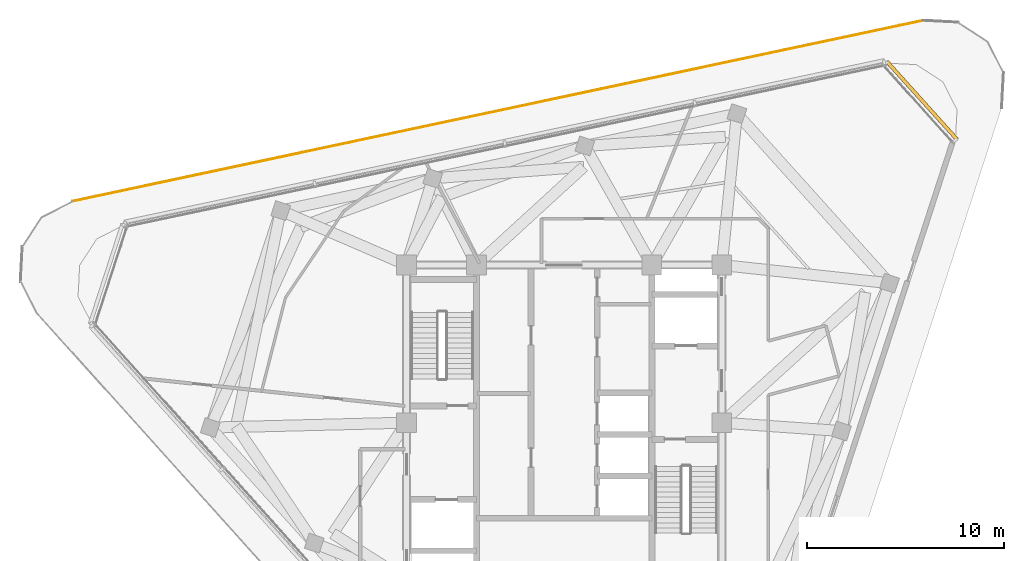
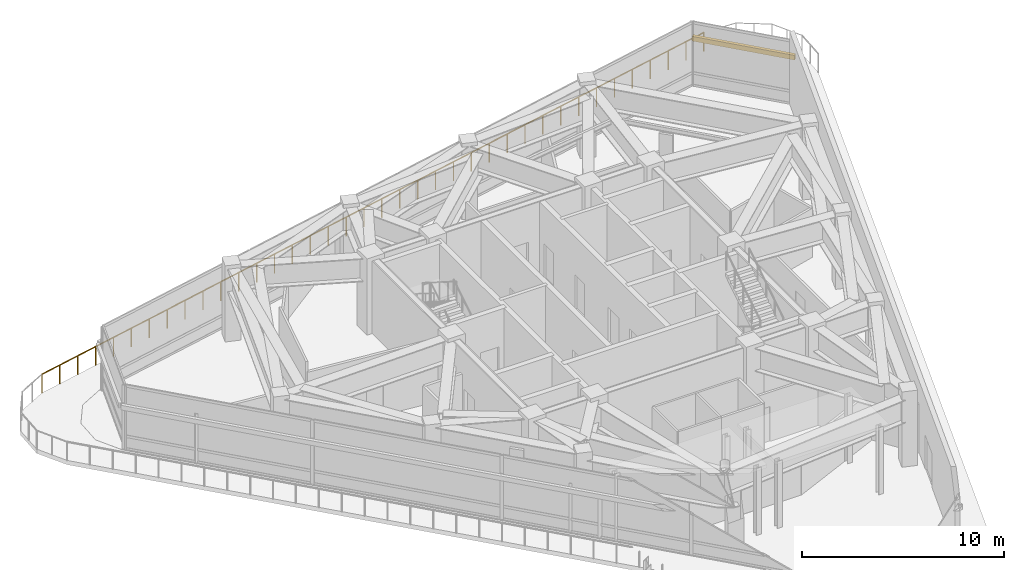
# One storey, part 14 of 15: 1 railing, 1 shading device.
"""IFC4 building model written with IfcOpenShell, lengths in metres."""

from ifc_helpers import new_model, si_unit, direction, frame, origin, origin_2d, place, context, subcontext, project, spatial, rectangle, circle, extrude, material, layer, layer_set, type_object, element, save


model = new_model("IFC4")

# Units and contexts
model_context = context("Model", 3, precision=1e-05, world=origin(), true_north=direction((0.0, 1.0)))
body_context = subcontext(model_context, "Body", "Model", "MODEL_VIEW")
ifc_project = project(units=[si_unit("LENGTHUNIT", "METRE"), si_unit("AREAUNIT", "SQUARE_METRE"), si_unit("VOLUMEUNIT", "CUBIC_METRE"), si_unit("PLANEANGLEUNIT", "RADIAN"), si_unit("MASSUNIT", "GRAM", prefix="KILO")], contexts=[model_context])

# Site, building, storey
site_placement = place(None, origin())
site = spatial("IfcSite", under=ifc_project, at=site_placement, CompositionType="ELEMENT")
building_placement = place(site_placement, origin())
building = spatial("IfcBuilding", under=site, at=building_placement, Name="Terralouvre Media Tower", CompositionType="ELEMENT")
storey_placement = place(building_placement, frame((0.0, 0.0, 312.800048828125)))
storey = spatial("IfcBuildingStorey", under=building, at=storey_placement, Name="L81", CompositionType="ELEMENT", Elevation=312.800048828125)

# Railing
ifc_material_1 = material(Name="Stainless steel 316 handrail and balustrade", Category="steel")
ifc_layer = layer(ifc_material_1, 0.06005859375, Name="Roof Edge Safety Guardrail GR-ROOF1")
ifc_layer_set = layer_set([ifc_layer], Name="Stainless steel 316 handrail and balustrade")
railing_type = type_object("IfcRailingType", Name="Roof Edge Safety Guardrail GR-ROOF1", PredefinedType="GUARDRAIL", material=ifc_layer_set)
railing_placement = place(storey_placement, frame((18.214599609375, 20.409423828125, 0.0)))
element("IfcRailing", 1, at=railing_placement, inside=storey, type_object=railing_type, Name="L81 Crown Roof Garden Perimeter Balustrade Edge 10", PredefinedType="GUARDRAIL", context=body_context, shape_type="SweptSolid", body=[
    extrude(circle(Radius=0.02392578125, at=origin_2d()), frame((0.0, 0.0, 1.1259765625), z_axis=(-0.978147345481, -0.207912891686, 0.0), x_axis=(0.207912891686, -0.978147345481, 0.0)), (0.0, 0.0, 1.0), 44.119873046875),
    extrude(circle(Radius=0.02099609375, at=origin_2d()), origin(), (0.0, 0.0, 1.0), 1.101806640625),
    extrude(circle(Radius=0.02099609375, at=origin_2d()), frame((-1.166259765625, -0.247802734375, 0.0)), (0.0, 0.0, 1.0), 1.101806640625),
    extrude(circle(Radius=0.02099609375, at=origin_2d()), frame((-2.332763671875, -0.495849609375, 0.0)), (0.0, 0.0, 1.0), 1.101806640625),
    extrude(circle(Radius=0.02099609375, at=origin_2d()), frame((-3.4990234375, -0.74365234375, 0.0)), (0.0, 0.0, 1.0), 1.101806640625),
    extrude(circle(Radius=0.02099609375, at=origin_2d()), frame((-4.66552734375, -0.99169921875, 0.0)), (0.0, 0.0, 1.0), 1.101806640625),
    extrude(circle(Radius=0.02099609375, at=origin_2d()), frame((-5.831787109375, -1.239501953125, 0.0)), (0.0, 0.0, 1.0), 1.101806640625),
    extrude(circle(Radius=0.02099609375, at=origin_2d()), frame((-6.998291015625, -1.487548828125, 0.0)), (0.0, 0.0, 1.0), 1.101806640625),
    extrude(circle(Radius=0.02099609375, at=origin_2d()), frame((-8.16455078125, -1.7353515625, 0.0)), (0.0, 0.0, 1.0), 1.101806640625),
    extrude(circle(Radius=0.02099609375, at=origin_2d()), frame((-9.3310546875, -1.9833984375, 0.0)), (0.0, 0.0, 1.0), 1.101806640625),
    extrude(circle(Radius=0.02099609375, at=origin_2d()), frame((-10.497314453125, -2.231201171875, 0.0)), (0.0, 0.0, 1.0), 1.101806640625),
    extrude(circle(Radius=0.02099609375, at=origin_2d()), frame((-11.663818359375, -2.479248046875, 0.0)), (0.0, 0.0, 1.0), 1.101806640625),
    extrude(circle(Radius=0.02099609375, at=origin_2d()), frame((-12.830078125, -2.72705078125, 0.0)), (0.0, 0.0, 1.0), 1.101806640625),
    extrude(circle(Radius=0.02099609375, at=origin_2d()), frame((-13.99658203125, -2.97509765625, 0.0)), (0.0, 0.0, 1.0), 1.101806640625),
    extrude(circle(Radius=0.02099609375, at=origin_2d()), frame((-15.162841796875, -3.222900390625, 0.0)), (0.0, 0.0, 1.0), 1.101806640625),
    extrude(circle(Radius=0.02099609375, at=origin_2d()), frame((-16.3291015625, -3.470947265625, 0.0)), (0.0, 0.0, 1.0), 1.101806640625),
    extrude(circle(Radius=0.02099609375, at=origin_2d()), frame((-17.49560546875, -3.71875, 0.0)), (0.0, 0.0, 1.0), 1.101806640625),
    extrude(circle(Radius=0.02099609375, at=origin_2d()), frame((-18.661865234375, -3.966796875, 0.0)), (0.0, 0.0, 1.0), 1.101806640625),
    extrude(circle(Radius=0.02099609375, at=origin_2d()), frame((-19.828369140625, -4.214599609375, 0.0)), (0.0, 0.0, 1.0), 1.101806640625),
    extrude(circle(Radius=0.02099609375, at=origin_2d()), frame((-20.99462890625, -4.462646484375, 0.0)), (0.0, 0.0, 1.0), 1.101806640625),
    extrude(circle(Radius=0.02099609375, at=origin_2d()), frame((-22.1611328125, -4.71044921875, 0.0)), (0.0, 0.0, 1.0), 1.101806640625),
    extrude(circle(Radius=0.02099609375, at=origin_2d()), frame((-23.327392578125, -4.95849609375, 0.0)), (0.0, 0.0, 1.0), 1.101806640625),
    extrude(circle(Radius=0.02099609375, at=origin_2d()), frame((-24.493896484375, -5.206298828125, 0.0)), (0.0, 0.0, 1.0), 1.101806640625),
    extrude(circle(Radius=0.02099609375, at=origin_2d()), frame((-25.66015625, -5.454345703125, 0.0)), (0.0, 0.0, 1.0), 1.101806640625),
    extrude(circle(Radius=0.02099609375, at=origin_2d()), frame((-26.82666015625, -5.7021484375, 0.0)), (0.0, 0.0, 1.0), 1.101806640625),
    extrude(circle(Radius=0.02099609375, at=origin_2d()), frame((-27.992919921875, -5.9501953125, 0.0)), (0.0, 0.0, 1.0), 1.101806640625),
    extrude(circle(Radius=0.02099609375, at=origin_2d()), frame((-29.1591796875, -6.197998046875, 0.0)), (0.0, 0.0, 1.0), 1.101806640625),
    extrude(circle(Radius=0.02099609375, at=origin_2d()), frame((-30.32568359375, -6.446044921875, 0.0)), (0.0, 0.0, 1.0), 1.101806640625),
    extrude(circle(Radius=0.02099609375, at=origin_2d()), frame((-31.491943359375, -6.69384765625, 0.0)), (0.0, 0.0, 1.0), 1.101806640625),
    extrude(circle(Radius=0.02099609375, at=origin_2d()), frame((-32.658447265625, -6.94189453125, 0.0)), (0.0, 0.0, 1.0), 1.101806640625),
    extrude(circle(Radius=0.02099609375, at=origin_2d()), frame((-33.82470703125, -7.189697265625, 0.0)), (0.0, 0.0, 1.0), 1.101806640625),
    extrude(circle(Radius=0.02099609375, at=origin_2d()), frame((-34.9912109375, -7.437744140625, 0.0)), (0.0, 0.0, 1.0), 1.101806640625),
    extrude(circle(Radius=0.02099609375, at=origin_2d()), frame((-36.157470703125, -7.685546875, 0.0)), (0.0, 0.0, 1.0), 1.101806640625),
    extrude(circle(Radius=0.02099609375, at=origin_2d()), frame((-37.323974609375, -7.93359375, 0.0)), (0.0, 0.0, 1.0), 1.101806640625),
    extrude(circle(Radius=0.02099609375, at=origin_2d()), frame((-38.490234375, -8.181396484375, 0.0)), (0.0, 0.0, 1.0), 1.101806640625),
    extrude(circle(Radius=0.02099609375, at=origin_2d()), frame((-39.65673828125, -8.429443359375, 0.0)), (0.0, 0.0, 1.0), 1.101806640625),
    extrude(circle(Radius=0.02099609375, at=origin_2d()), frame((-40.822998046875, -8.67724609375, 0.0)), (0.0, 0.0, 1.0), 1.101806640625),
    extrude(circle(Radius=0.02099609375, at=origin_2d()), frame((-41.989501953125, -8.92529296875, 0.0)), (0.0, 0.0, 1.0), 1.101806640625),
    extrude(circle(Radius=0.02099609375, at=origin_2d()), frame((-43.15576171875, -9.173095703125, 0.0)), (0.0, 0.0, 1.0), 1.101806640625),
])

# Shading device
ifc_material_2 = material(Name="Extruded terracotta baguette sunshade louvres", Category="masonry")
shading_device_type = type_object("IfcShadingDeviceType", Name="Terracotta Baguette Sunshade Louvre Screen TB-LV1", PredefinedType="USERDEFINED", material=ifc_material_2)
shading_device_placement = place(storey_placement, frame((18.155517578125, 16.347412109375, 2.5693359375), z_axis=(0.0, 0.0, 1.0), x_axis=(-0.669131039347, 0.743144435613, 0.0)))
element("IfcShadingDevice", 2, at=shading_device_placement, inside=storey, type_object=shading_device_type, Name="CW-L81-C1 Terracotta Baguette Sunshade Louvre", ObjectType="BAGUETTE", PredefinedType="USERDEFINED", context=body_context, shape_type="SweptSolid", body=[
    extrude(rectangle(XDim=5.334716796875, YDim=0.179931640625, at=origin_2d()), origin(), (0.0, 0.0, 1.0), 0.280029296875),
])

save(model, "model.ifc")
